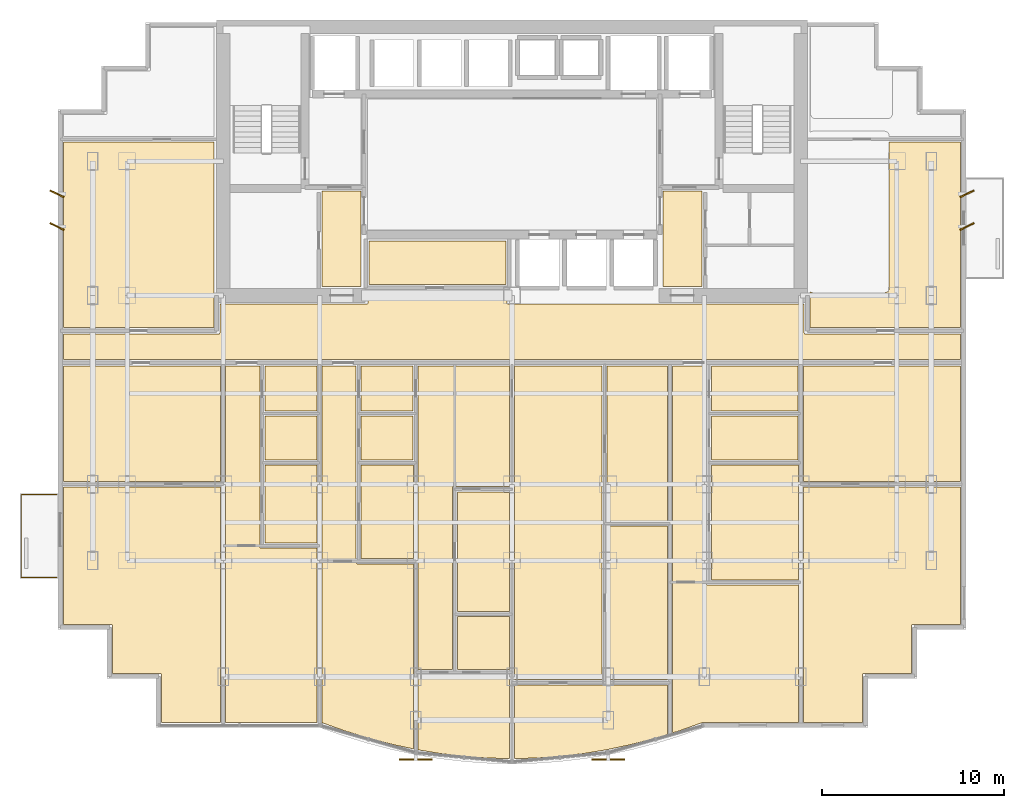
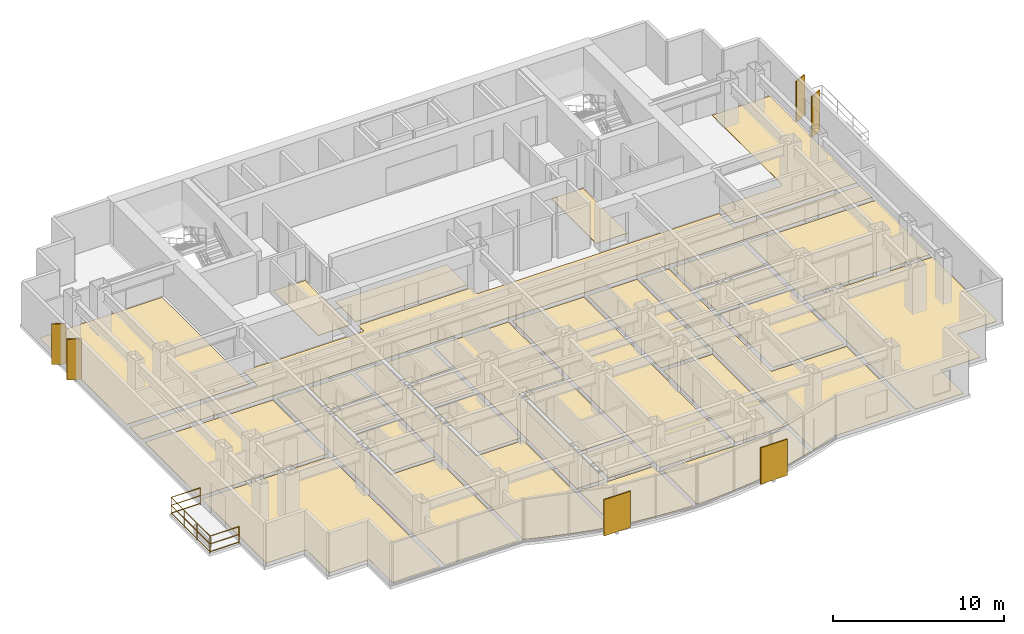
# One storey, part 9 of 10: 30 coverings, 6 shading devices, 1 railing.
"""IFC4 building model written with IfcOpenShell, lengths in metres."""

import ifcopenshell
import ifcopenshell.guid

model = None  # the IFC model being written
_history = None  # IfcOwnerHistory: only IFC2X3 demands one
_inside = {}  # id of a spatial element -> (the spatial element, [elements in it])
_under = {}  # id of a project, library or spatial element -> (it, [spatial elements below it])
_declared = {}  # id of a project -> (the project, [libraries it declares])
_typed = {}  # id of a type object -> (the type object, [elements of that type])
_made_of = {}  # id of a material, layer set ... -> (it, [elements and type objects made of it])


def new_model(schema):
    """Start an empty IFC model of exactly this schema.

    Asked for "IFC4X3", IfcOpenShell would pick the latest addendum, in which some entities
    have other attributes; the version numbers below select the first issue.
    IFC2X3 requires an IfcOwnerHistory on every rooted entity: one is made here for all.
    """
    global model, _history
    if schema == "IFC4X3":
        model = ifcopenshell.file(schema_version=(4, 3, 0, 0))
    else:
        model = ifcopenshell.file(schema=schema)
    _inside.clear()
    _under.clear()
    _declared.clear()
    _typed.clear()
    _made_of.clear()
    _history = None
    if model.schema == "IFC2X3":
        org = make("IfcOrganization", Name="unknown")
        user = make(
            "IfcPersonAndOrganization",
            ThePerson=make("IfcPerson", FamilyName="unknown"),
            TheOrganization=org,
        )
        app = make(
            "IfcApplication",
            ApplicationDeveloper=org,
            Version="unknown",
            ApplicationFullName="unknown",
            ApplicationIdentifier="unknown",
        )
        _history = make(
            "IfcOwnerHistory",
            OwningUser=user,
            OwningApplication=app,
            ChangeAction="ADDED",
            CreationDate=0,
        )
    return model


def make(cls, **values):
    """One entity of the class cls with the attributes given. An attribute that is None is left unset."""
    return model.create_entity(
        cls, **{name: value for name, value in values.items() if value is not None}
    )


def rooted(cls, **values):
    """An entity with a GlobalId (a new one), such as an element, a storey or a relation."""
    return make(cls, GlobalId=ifcopenshell.guid.new(), OwnerHistory=_history, **values)


def si_unit(unit_type, name, prefix=None):
    """IfcSIUnit, for example si_unit("LENGTHUNIT", "METRE", prefix="MILLI")."""
    return make("IfcSIUnit", UnitType=unit_type, Prefix=prefix, Name=name)


def assignment(units):
    """IfcUnitAssignment: the units of a project."""
    return None if units is None else make("IfcUnitAssignment", Units=units)


def point(xyz):
    """IfcCartesianPoint."""
    return None if xyz is None else make("IfcCartesianPoint", Coordinates=xyz)


def direction(xyz):
    """IfcDirection."""
    return None if xyz is None else make("IfcDirection", DirectionRatios=xyz)


def frame(location, z_axis=None, x_axis=None):
    """IfcAxis2Placement3D, a coordinate frame: its origin and axes. An axis left out is left unset."""
    return make(
        "IfcAxis2Placement3D",
        Location=point(location),
        Axis=direction(z_axis),
        RefDirection=direction(x_axis),
    )


def frame_2d(location, x_axis=None):
    """IfcAxis2Placement2D, a coordinate frame in the plane: its origin and x axis."""
    return make(
        "IfcAxis2Placement2D", Location=point(location), RefDirection=direction(x_axis)
    )


def origin():
    """The frame at (0, 0, 0) with its axes left unset."""
    return frame((0.0, 0.0, 0.0))


def origin_2d():
    """The frame at (0, 0) in the plane with its x axis left unset."""
    return frame_2d((0.0, 0.0))


def place(relative_to, where):
    """IfcLocalPlacement: puts the frame where relative to a parent placement (None: the world)."""
    return make(
        "IfcLocalPlacement", PlacementRelTo=relative_to, RelativePlacement=where
    )


def context(
    kind, dimensions, precision=None, world=None, true_north=None, identifier=None
):
    """IfcGeometricRepresentationContext, for example the 3D "Model" context."""
    return make(
        "IfcGeometricRepresentationContext",
        ContextIdentifier=identifier,
        ContextType=kind,
        CoordinateSpaceDimension=dimensions,
        Precision=precision,
        WorldCoordinateSystem=world,
        TrueNorth=true_north,
    )


def subcontext(parent, identifier, kind, view, scale=None):
    """IfcGeometricRepresentationSubContext, for example "Body" below "Model"."""
    return make(
        "IfcGeometricRepresentationSubContext",
        ContextIdentifier=identifier,
        ContextType=kind,
        ParentContext=parent,
        TargetScale=scale,
        TargetView=view,
    )


def project(units=None, contexts=None):
    """IfcProject with its units and contexts."""
    return rooted(
        "IfcProject",
        Name="project",
        RepresentationContexts=contexts,
        UnitsInContext=assignment(units),
    )


def spatial(cls, under=None, at=None, **own):
    """A site, building, storey or space (cls), placed at a placement, below another one or the project."""
    s = rooted(cls, ObjectPlacement=at, **own)
    if under is not None:
        _under.setdefault(under.id(), (under, []))[1].append(s)
    return s


def polyline(points):
    """IfcPolyline through the points."""
    return make("IfcPolyline", Points=[point(p) for p in points])


def profile(cls, at=None, kind="AREA", **sizes):
    """A parametric profile (cls). Its sizes go by their IFC names, for example OverallWidth=200.0."""
    return make(cls, ProfileType=kind, Position=at, **sizes)


def rectangle(**sizes):
    """IfcRectangleProfileDef."""
    return profile("IfcRectangleProfileDef", **sizes)


def circle(**sizes):
    """IfcCircleProfileDef."""
    return profile("IfcCircleProfileDef", **sizes)


def outline(outer, holes=None, kind="AREA"):
    """IfcArbitraryClosedProfileDef: a profile drawn as a closed curve; with holes, ...WithVoids."""
    if holes is None:
        return make("IfcArbitraryClosedProfileDef", ProfileType=kind, OuterCurve=outer)
    return make(
        "IfcArbitraryProfileDefWithVoids",
        ProfileType=kind,
        OuterCurve=outer,
        InnerCurves=holes,
    )


def extrude(swept, where, along, depth):
    """IfcExtrudedAreaSolid: the profile swept, set in the frame where, extruded along a direction by depth."""
    return make(
        "IfcExtrudedAreaSolid",
        SweptArea=swept,
        Position=where,
        ExtrudedDirection=direction(along),
        Depth=depth,
    )


def shape(context_of_items, identifier, shape_type, items):
    """IfcShapeRepresentation: the items that make up one representation, for example the "Body"."""
    return make(
        "IfcShapeRepresentation",
        ContextOfItems=context_of_items,
        RepresentationIdentifier=identifier,
        RepresentationType=shape_type,
        Items=items,
    )


def source(mapping_origin, context_of_items, identifier, shape_type, items):
    """IfcRepresentationMap: a shape defined once, which mapped items show again and again."""
    return make(
        "IfcRepresentationMap",
        MappingOrigin=mapping_origin,
        MappedRepresentation=shape(context_of_items, identifier, shape_type, items),
    )


def transform(
    local_origin,
    x_axis=None,
    y_axis=None,
    z_axis=None,
    scale=None,
    scale2=None,
    scale3=None,
    uniform=True,
):
    """IfcCartesianTransformationOperator3D, or its non-uniform kind. x_axis, y_axis, z_axis: its Axis1, 2, 3."""
    if uniform:
        return make(
            "IfcCartesianTransformationOperator3D",
            Axis1=direction(x_axis),
            Axis2=direction(y_axis),
            LocalOrigin=point(local_origin),
            Scale=scale,
            Axis3=direction(z_axis),
        )
    return make(
        "IfcCartesianTransformationOperator3DnonUniform",
        Axis1=direction(x_axis),
        Axis2=direction(y_axis),
        LocalOrigin=point(local_origin),
        Scale=scale,
        Axis3=direction(z_axis),
        Scale2=scale2,
        Scale3=scale3,
    )


def mapped(mapping_source, mapping_target):
    """IfcMappedItem: shows the shape of a source again, moved by a transform."""
    return make(
        "IfcMappedItem", MappingSource=mapping_source, MappingTarget=mapping_target
    )


def material(Name=None, Category=None):
    """IfcMaterial."""
    return make("IfcMaterial", Name=Name, Category=Category)


def layer(
    of_material, thickness, ventilated=None, Name=None, Category=None, Priority=None
):
    """IfcMaterialLayer: one layer of a wall or slab, of a material (None: an air gap)."""
    return make(
        "IfcMaterialLayer",
        Material=of_material,
        LayerThickness=thickness,
        IsVentilated=ventilated,
        Name=Name,
        Category=Category,
        Priority=Priority,
    )


def layer_set(layers, Name=None):
    """IfcMaterialLayerSet."""
    return make("IfcMaterialLayerSet", MaterialLayers=layers, LayerSetName=Name)


def made_of(thing, what):
    """Note that an element or type object is made of a material, layer set ...; save() writes the relation."""
    if what is not None:
        _made_of.setdefault(what.id(), (what, []))[1].append(thing)
    return thing


def type_object(cls, material=None, **own):
    """A type object (cls), such as IfcWallType, which elements share."""
    return made_of(rooted(cls, **own), material)


def element(
    cls,
    number,
    at=None,
    inside=None,
    cuts=None,
    type_object=None,
    material=None,
    context=None,
    identifier="Body",
    shape_type=None,
    held_by="IfcProductDefinitionShape",
    body=None,
    shapes=None,
    **own,
):
    """One element of the class cls, such as IfcWall. Its Tag is "e" and its number.

    at: its placement. inside: the storey or other place that contains it. cuts: it is an
    opening in that element (IfcRelVoidsElement). A single representation is given by context,
    identifier, shape_type and body (its items); several are given by shapes. held_by: the class
    of the entity that holds the representations. save() writes the other relations.
    """
    e = rooted(cls, Tag="e%d" % number, ObjectPlacement=at, **own)
    if body is not None:
        shapes = [shape(context, identifier, shape_type, body)]
    if shapes is not None:
        e.Representation = make(held_by, Representations=shapes)
    if inside is not None:
        _inside.setdefault(inside.id(), (inside, []))[1].append(e)
    if cuts is not None:
        rooted(
            "IfcRelVoidsElement", RelatingBuildingElement=cuts, RelatedOpeningElement=e
        )
    if type_object is not None:
        _typed.setdefault(type_object.id(), (type_object, []))[1].append(e)
    return made_of(e, material)


def aggregate(whole, parts):
    """IfcRelAggregates: a whole, such as a stair, and the parts it consists of."""
    return rooted("IfcRelAggregates", RelatingObject=whole, RelatedObjects=parts)


def save(model, path):
    """Write the relations noted so far, then the file.

    IfcRelAggregates (storeys below a building ...), IfcRelContainedInSpatialStructure (elements
    in a storey), IfcRelDefinesByType, IfcRelAssociatesMaterial and IfcRelDeclares: one each for
    every whole, place, type object, material and project.
    """
    for whole, parts in _under.values():
        aggregate(whole, parts)
    for where, things in _inside.values():
        rooted(
            "IfcRelContainedInSpatialStructure",
            RelatedElements=things,
            RelatingStructure=where,
        )
    for kind, things in _typed.values():
        rooted("IfcRelDefinesByType", RelatedObjects=things, RelatingType=kind)
    for what, things in _made_of.values():
        rooted("IfcRelAssociatesMaterial", RelatedObjects=things, RelatingMaterial=what)
    for by, libraries in _declared.values():
        rooted("IfcRelDeclares", RelatingContext=by, RelatedDefinitions=libraries)
    model.write(path)


model = new_model("IFC4")

# Units and contexts
model_context = context("Model", 3, precision=1e-05, world=origin(), true_north=direction((0.0, 1.0)))
body_context = subcontext(model_context, "Body", "Model", "MODEL_VIEW")
ifc_project = project(units=[si_unit("LENGTHUNIT", "METRE"), si_unit("AREAUNIT", "SQUARE_METRE"), si_unit("VOLUMEUNIT", "CUBIC_METRE"), si_unit("PLANEANGLEUNIT", "RADIAN"), si_unit("MASSUNIT", "GRAM", prefix="KILO")], contexts=[model_context])

# Site, building, storey
site_placement = place(None, origin())
site = spatial("IfcSite", under=ifc_project, at=site_placement, CompositionType="ELEMENT")
building_placement = place(site_placement, origin())
building = spatial("IfcBuilding", under=site, at=building_placement, Name="Qianlan Lanfeng Residences", CompositionType="ELEMENT")
storey_placement = place(building_placement, frame((0.0, 0.0, 118.0)))
storey = spatial("IfcBuildingStorey", under=building, at=storey_placement, Name="L32", CompositionType="ELEMENT", Elevation=118.0)

# Coverings
ifc_material_1 = material(Name="Honed Taitung Granite Stone Flooring", Category="masonry")
ifc_layer_1 = layer(ifc_material_1, 0.030029296875)
ifc_layer_set_1 = layer_set([ifc_layer_1], Name="Honed Taitung Granite Stone Flooring")
covering_type_1 = type_object("IfcCoveringType", Name="FLR-STN-30", PredefinedType="FLOORING", material=ifc_layer_set_1)
covering_1_placement = place(storey_placement, origin())
element("IfcCovering", 1, at=covering_1_placement, inside=storey, type_object=covering_type_1, Name="L32 Residential Corridor Floor Finish", PredefinedType="FLOORING", context=body_context, shape_type="SweptSolid", body=[
    extrude(outline(polyline([(1.7900390625, 21.679931640625), (51.2099609375, 21.679931640625), (51.2099609375, 23.070068359375), (42.6650390625, 23.070068359375), (42.657958984375, 23.070068359375), (42.65087890625, 23.071044921875), (42.64501953125, 23.072998046875), (42.637939453125, 23.074951171875), (42.632080078125, 23.077880859375), (42.6259765625, 23.08203125), (42.62109375, 23.0859375), (42.615966796875, 23.091064453125), (42.611083984375, 23.095947265625), (42.60693359375, 23.10107421875), (42.60302734375, 23.10693359375), (42.60009765625, 23.113037109375), (42.597900390625, 23.1201171875), (42.595947265625, 23.1259765625), (42.594970703125, 23.133056640625), (42.594970703125, 23.139892578125), (42.594970703125, 24.72509765625), (26.300048828125, 24.72509765625), (26.29296875, 24.72509765625), (26.285888671875, 24.72607421875), (26.280029296875, 24.72802734375), (26.27294921875, 24.72998046875), (26.26708984375, 24.73291015625), (26.260986328125, 24.737060546875), (26.256103515625, 24.740966796875), (26.2509765625, 24.74609375), (26.24609375, 24.7509765625), (26.241943359375, 24.756103515625), (26.238037109375, 24.761962890625), (26.235107421875, 24.76806640625), (26.23291015625, 24.77490234375), (26.23095703125, 24.781005859375), (26.22998046875, 24.7880859375), (26.22998046875, 24.794921875), (26.22998046875, 25.429931640625), (18.570068359375, 25.429931640625), (18.570068359375, 24.794921875), (18.570068359375, 24.7880859375), (18.569091796875, 24.781005859375), (18.56689453125, 24.77490234375), (18.56494140625, 24.76806640625), (18.56201171875, 24.761962890625), (18.55810546875, 24.756103515625), (18.553955078125, 24.7509765625), (18.549072265625, 24.74609375), (18.5439453125, 24.740966796875), (18.5390625, 24.737060546875), (18.532958984375, 24.73291015625), (18.527099609375, 24.72998046875), (18.52001953125, 24.72802734375), (18.513916015625, 24.72607421875), (18.507080078125, 24.72509765625), (18.5, 24.72509765625), (10.405029296875, 24.72509765625), (10.405029296875, 23.139892578125), (10.405029296875, 23.133056640625), (10.404052734375, 23.1259765625), (10.402099609375, 23.1201171875), (10.39990234375, 23.113037109375), (10.39697265625, 23.10693359375), (10.39306640625, 23.10107421875), (10.388916015625, 23.095947265625), (10.384033203125, 23.091064453125), (10.37890625, 23.0859375), (10.3740234375, 23.08203125), (10.367919921875, 23.077880859375), (10.362060546875, 23.074951171875), (10.35498046875, 23.072998046875), (10.34912109375, 23.071044921875), (10.342041015625, 23.070068359375), (10.3349609375, 23.070068359375), (1.7900390625, 23.070068359375), (1.7900390625, 21.679931640625)])), origin(), (0.0, 0.0, 1.0), 0.030029296875),
])
covering_2_placement = place(storey_placement, origin())
element("IfcCovering", 2, at=covering_2_placement, inside=storey, type_object=covering_type_1, Name="L32 Lift Lobby Floor Finish", PredefinedType="FLOORING", context=body_context, shape_type="SweptSolid", body=[
    extrude(outline(polyline([(16.030029296875, 25.68505859375), (18.169921875, 25.68505859375), (18.169921875, 30.949951171875), (16.030029296875, 30.949951171875), (16.030029296875, 25.68505859375)])), origin(), (0.0, 0.0, 1.0), 0.030029296875),
])
covering_3_placement = place(storey_placement, origin())
element("IfcCovering", 3, at=covering_3_placement, inside=storey, type_object=covering_type_1, Name="L32 Lift Lobby Floor Finish", PredefinedType="FLOORING", context=body_context, shape_type="SweptSolid", body=[
    extrude(outline(polyline([(34.830078125, 25.68505859375), (36.969970703125, 25.68505859375), (36.969970703125, 30.949951171875), (34.830078125, 30.949951171875), (34.830078125, 25.68505859375)])), origin(), (0.0, 0.0, 1.0), 0.030029296875),
])
ifc_material_2 = material(Name="Slip-Resistant Porcelain Tile Flooring")
ifc_layer_2 = layer(ifc_material_2, 0.02001953125)
ifc_layer_set_2 = layer_set([ifc_layer_2], Name="Slip-Resistant Porcelain Tile Flooring")
covering_type_2 = type_object("IfcCoveringType", Name="FLR-TIL-20", PredefinedType="FLOORING", material=ifc_layer_set_2)
covering_4_placement = place(storey_placement, origin())
element("IfcCovering", 4, at=covering_4_placement, inside=storey, type_object=covering_type_2, Name="L32 Kitchen Floor Finish", PredefinedType="FLOORING", context=body_context, shape_type="SweptSolid", body=[
    extrude(outline(polyline([(12.889892578125, 16.139892578125), (15.760009765625, 16.139892578125), (15.760009765625, 18.56005859375), (12.889892578125, 18.56005859375), (12.889892578125, 16.139892578125)])), origin(), (0.0, 0.0, 1.0), 0.02001953125),
])
covering_5_placement = place(storey_placement, origin())
element("IfcCovering", 5, at=covering_5_placement, inside=storey, type_object=covering_type_2, Name="L32 Bathroom Floor Finish", PredefinedType="FLOORING", context=body_context, shape_type="SweptSolid", body=[
    extrude(outline(polyline([(12.889892578125, 18.840087890625), (15.760009765625, 18.840087890625), (15.760009765625, 21.330078125), (12.889892578125, 21.330078125), (12.889892578125, 18.840087890625)])), origin(), (0.0, 0.0, 1.0), 0.02001953125),
])
covering_6_placement = place(storey_placement, origin())
element("IfcCovering", 6, at=covering_6_placement, inside=storey, type_object=covering_type_2, Name="L32 Kitchen Floor Finish", PredefinedType="FLOORING", context=body_context, shape_type="SweptSolid", body=[
    extrude(outline(polyline([(18.18994140625, 16.139892578125), (21.06005859375, 16.139892578125), (21.06005859375, 18.56005859375), (18.18994140625, 18.56005859375), (18.18994140625, 16.139892578125)])), origin(), (0.0, 0.0, 1.0), 0.02001953125),
])
covering_7_placement = place(storey_placement, origin())
element("IfcCovering", 7, at=covering_7_placement, inside=storey, type_object=covering_type_2, Name="L32 Bathroom Floor Finish", PredefinedType="FLOORING", context=body_context, shape_type="SweptSolid", body=[
    extrude(outline(polyline([(18.18994140625, 18.840087890625), (21.06005859375, 18.840087890625), (21.06005859375, 21.330078125), (18.18994140625, 21.330078125), (18.18994140625, 18.840087890625)])), origin(), (0.0, 0.0, 1.0), 0.02001953125),
])
covering_8_placement = place(storey_placement, origin())
element("IfcCovering", 8, at=covering_8_placement, inside=storey, type_object=covering_type_2, Name="L32 En-Suite Bathroom Floor Finish", PredefinedType="FLOORING", context=body_context, shape_type="SweptSolid", body=[
    extrude(outline(polyline([(23.489990234375, 4.5869140625), (26.3701171875, 4.5869140625), (26.3701171875, 7.507080078125), (23.489990234375, 7.507080078125), (23.489990234375, 4.5869140625)])), origin(), (0.0, 0.0, 1.0), 0.02001953125),
])
covering_9_placement = place(storey_placement, origin())
element("IfcCovering", 9, at=covering_9_placement, inside=storey, type_object=covering_type_2, Name="L32 Kitchen Floor Finish", PredefinedType="FLOORING", context=body_context, shape_type="SweptSolid", body=[
    extrude(outline(polyline([(37.489990234375, 16.139892578125), (42.260009765625, 16.139892578125), (42.260009765625, 18.56005859375), (37.489990234375, 18.56005859375), (37.489990234375, 16.139892578125)])), origin(), (0.0, 0.0, 1.0), 0.02001953125),
])
covering_10_placement = place(storey_placement, origin())
element("IfcCovering", 10, at=covering_10_placement, inside=storey, type_object=covering_type_2, Name="L32 Bathroom Floor Finish", PredefinedType="FLOORING", context=body_context, shape_type="SweptSolid", body=[
    extrude(outline(polyline([(37.489990234375, 18.840087890625), (42.260009765625, 18.840087890625), (42.260009765625, 21.330078125), (37.489990234375, 21.330078125), (37.489990234375, 18.840087890625)])), origin(), (0.0, 0.0, 1.0), 0.02001953125),
])
ifc_material_3 = material(Name="Engineered Smoked Oak Timber Flooring", Category="wood")
ifc_layer_3 = layer(ifc_material_3, 0.02197265625)
ifc_layer_set_3 = layer_set([ifc_layer_3], Name="Engineered Smoked Oak Timber Flooring")
covering_type_3 = type_object("IfcCoveringType", Name="FLR-TIM-22", PredefinedType="FLOORING", material=ifc_layer_set_3)
covering_11_placement = place(storey_placement, origin())
element("IfcCovering", 11, at=covering_11_placement, inside=storey, type_object=covering_type_3, Name="L32 Resident Reading Lounge Floor Finish", PredefinedType="FLOORING", context=body_context, shape_type="SweptSolid", body=[
    extrude(outline(polyline([(18.6298828125, 25.800048828125), (26.169921875, 25.800048828125), (26.169921875, 28.205078125), (18.6298828125, 28.205078125), (18.6298828125, 25.800048828125)])), origin(), (0.0, 0.0, 1.0), 0.02197265625),
])
covering_12_placement = place(storey_placement, origin())
element("IfcCovering", 12, at=covering_12_placement, inside=storey, type_object=covering_type_3, Name="L32 Studio Living Room Floor Finish", PredefinedType="FLOORING", context=body_context, shape_type="SweptSolid", body=[
    extrude(outline(polyline([(15.77001953125, 1.68994140625), (15.77001953125, 11.280029296875), (12.679931640625, 11.280029296875), (12.673095703125, 11.280029296875), (12.666015625, 11.281005859375), (12.659912109375, 11.282958984375), (12.653076171875, 11.284912109375), (12.64697265625, 11.2880859375), (12.64111328125, 11.2919921875), (12.635986328125, 11.2958984375), (12.631103515625, 11.301025390625), (12.6259765625, 11.305908203125), (12.6220703125, 11.31103515625), (12.617919921875, 11.31689453125), (12.614990234375, 11.322998046875), (12.613037109375, 11.330078125), (12.611083984375, 11.3359375), (12.610107421875, 11.343017578125), (12.610107421875, 11.35009765625), (12.610107421875, 21.330078125), (10.72998046875, 21.330078125), (10.72998046875, 1.68994140625), (15.77001953125, 1.68994140625)])), origin(), (0.0, 0.0, 1.0), 0.02197265625),
])
covering_13_placement = place(storey_placement, origin())
element("IfcCovering", 13, at=covering_13_placement, inside=storey, type_object=covering_type_3, Name="L32 Villa Family Sitting Room Floor Finish", PredefinedType="FLOORING", context=body_context, shape_type="SweptSolid", body=[
    extrude(outline(polyline([(12.889892578125, 15.860107421875), (12.889892578125, 11.56005859375), (15.77001953125, 11.56005859375), (15.77001953125, 15.860107421875), (12.889892578125, 15.860107421875)])), origin(), (0.0, 0.0, 1.0), 0.02197265625),
])
covering_14_placement = place(storey_placement, origin())
element("IfcCovering", 14, at=covering_14_placement, inside=storey, type_object=covering_type_3, Name="L32 Living and Dining Room Floor Finish", PredefinedType="FLOORING", context=body_context, shape_type="SweptSolid", body=[
    extrude(outline(polyline([(21.070068359375, 0.22607421875), (21.070068359375, 10.419921875), (17.97998046875, 10.419921875), (17.972900390625, 10.419921875), (17.966064453125, 10.4208984375), (17.9599609375, 10.423095703125), (17.952880859375, 10.425048828125), (17.947021484375, 10.427978515625), (17.94091796875, 10.431884765625), (17.93603515625, 10.43603515625), (17.930908203125, 10.44091796875), (17.926025390625, 10.446044921875), (17.922119140625, 10.450927734375), (17.91796875, 10.45703125), (17.9150390625, 10.462890625), (17.9130859375, 10.469970703125), (17.910888671875, 10.47607421875), (17.909912109375, 10.48291015625), (17.909912109375, 10.489990234375), (17.909912109375, 21.330078125), (16.030029296875, 21.330078125), (16.030029296875, 1.6689453125), (17.3330078125, 1.2060546875), (18.64404296875, 0.803955078125), (19.9541015625, 0.462890625), (21.070068359375, 0.22607421875)])), origin(), (0.0, 0.0, 1.0), 0.02197265625),
])
covering_15_placement = place(storey_placement, origin())
element("IfcCovering", 15, at=covering_15_placement, inside=storey, type_object=covering_type_3, Name="L32 Villa Family Sitting Room Floor Finish", PredefinedType="FLOORING", context=body_context, shape_type="SweptSolid", body=[
    extrude(outline(polyline([(18.18994140625, 15.860107421875), (18.18994140625, 10.699951171875), (21.070068359375, 10.699951171875), (21.070068359375, 15.860107421875), (18.18994140625, 15.860107421875)])), origin(), (0.0, 0.0, 1.0), 0.02197265625),
])
covering_16_placement = place(storey_placement, origin())
element("IfcCovering", 16, at=covering_16_placement, inside=storey, type_object=covering_type_3, Name="L32 Private Study Floor Finish", PredefinedType="FLOORING", context=body_context, shape_type="SweptSolid", body=[
    extrude(outline(polyline([(23.489990234375, 7.787109375), (26.3701171875, 7.787109375), (26.3701171875, 14.383056640625), (23.489990234375, 14.383056640625), (23.489990234375, 7.787109375)])), origin(), (0.0, 0.0, 1.0), 0.02197265625),
])
covering_17_placement = place(storey_placement, origin())
element("IfcCovering", 17, at=covering_17_placement, inside=storey, type_object=covering_type_3, Name="L32 Villa Family Sitting Room Floor Finish", PredefinedType="FLOORING", context=body_context, shape_type="SweptSolid", body=[
    extrude(outline(polyline([(21.330078125, 4.5869140625), (23.2099609375, 4.5869140625), (23.2099609375, 14.593017578125), (23.2099609375, 14.60009765625), (23.2109375, 14.60693359375), (23.212890625, 14.613037109375), (23.215087890625, 14.6201171875), (23.218017578125, 14.6259765625), (23.221923828125, 14.632080078125), (23.22607421875, 14.636962890625), (23.23095703125, 14.64208984375), (23.236083984375, 14.64697265625), (23.240966796875, 14.65087890625), (23.2470703125, 14.655029296875), (23.2529296875, 14.657958984375), (23.260009765625, 14.659912109375), (23.26611328125, 14.662109375), (23.27294921875, 14.6630859375), (23.280029296875, 14.6630859375), (26.3701171875, 14.6630859375), (26.3701171875, 21.330078125), (21.330078125, 21.330078125), (21.330078125, 4.5869140625)])), origin(), (0.0, 0.0, 1.0), 0.02197265625),
])
covering_18_placement = place(storey_placement, origin())
element("IfcCovering", 18, at=covering_18_placement, inside=storey, type_object=covering_type_3, Name="L32 Master Bedroom Floor Finish", PredefinedType="FLOORING", context=body_context, shape_type="SweptSolid", body=[
    extrude(outline(polyline([(21.330078125, 4.306884765625), (21.330078125, 0.174072265625), (22.572998046875, -0.031982421875), (23.882080078125, -0.18603515625), (25.19091796875, -0.279052734375), (26.3701171875, -0.306884765625), (26.3701171875, 4.306884765625), (21.330078125, 4.306884765625)])), origin(), (0.0, 0.0, 1.0), 0.02197265625),
])
covering_19_placement = place(storey_placement, origin())
element("IfcCovering", 19, at=covering_19_placement, inside=storey, type_object=covering_type_3, Name="L32 Bedroom Floor Finish", PredefinedType="FLOORING", context=body_context, shape_type="SweptSolid", body=[
    extrude(outline(polyline([(26.6298828125, 3.735107421875), (26.6298828125, -0.306884765625), (27.80810546875, -0.279052734375), (29.117919921875, -0.18603515625), (30.426025390625, -0.031982421875), (31.736083984375, 0.18505859375), (33.044921875, 0.462890625), (34.35595703125, 0.803955078125), (35.070068359375, 1.02294921875), (35.070068359375, 3.735107421875), (26.6298828125, 3.735107421875)])), origin(), (0.0, 0.0, 1.0), 0.02197265625),
])
covering_20_placement = place(storey_placement, origin())
element("IfcCovering", 20, at=covering_20_placement, inside=storey, type_object=covering_type_3, Name="L32 Private Study Floor Finish", PredefinedType="FLOORING", context=body_context, shape_type="SweptSolid", body=[
    extrude(outline(polyline([(31.739990234375, 4.014892578125), (35.070068359375, 4.014892578125), (35.070068359375, 12.4970703125), (31.739990234375, 12.4970703125), (31.739990234375, 4.014892578125)])), origin(), (0.0, 0.0, 1.0), 0.02197265625),
])
covering_21_placement = place(storey_placement, origin())
element("IfcCovering", 21, at=covering_21_placement, inside=storey, type_object=covering_type_3, Name="L32 Aerobics Studio Floor Finish", PredefinedType="FLOORING", context=body_context, shape_type="SweptSolid", body=[
    extrude(outline(polyline([(31.739990234375, 12.777099609375), (35.070068359375, 12.777099609375), (35.070068359375, 21.330078125), (31.739990234375, 21.330078125), (31.739990234375, 12.777099609375)])), origin(), (0.0, 0.0, 1.0), 0.02197265625),
])
covering_22_placement = place(storey_placement, origin())
element("IfcCovering", 22, at=covering_22_placement, inside=storey, type_object=covering_type_3, Name="L32 Home Office Floor Finish", PredefinedType="FLOORING", context=body_context, shape_type="SweptSolid", body=[
    extrude(outline(polyline([(26.6298828125, 4.014892578125), (31.4599609375, 4.014892578125), (31.4599609375, 21.330078125), (26.6298828125, 21.330078125), (26.6298828125, 4.014892578125)])), origin(), (0.0, 0.0, 1.0), 0.02197265625),
])
covering_23_placement = place(storey_placement, origin())
element("IfcCovering", 23, at=covering_23_placement, inside=storey, type_object=covering_type_3, Name="L32 Studio Living Room Floor Finish", PredefinedType="FLOORING", context=body_context, shape_type="SweptSolid", body=[
    extrude(outline(polyline([(42.27001953125, 1.68994140625), (42.27001953125, 9.258056640625), (37.280029296875, 9.258056640625), (37.27294921875, 9.258056640625), (37.26611328125, 9.259033203125), (37.260009765625, 9.260986328125), (37.2529296875, 9.262939453125), (37.2470703125, 9.26611328125), (37.240966796875, 9.27001953125), (37.236083984375, 9.27392578125), (37.23095703125, 9.279052734375), (37.22607421875, 9.283935546875), (37.221923828125, 9.2890625), (37.218017578125, 9.294921875), (37.215087890625, 9.301025390625), (37.212890625, 9.30810546875), (37.2109375, 9.31396484375), (37.2099609375, 9.321044921875), (37.2099609375, 9.327880859375), (37.2099609375, 21.330078125), (35.330078125, 21.330078125), (35.330078125, 1.10302734375), (35.6669921875, 1.2060546875), (37.01904296875, 1.68603515625), (37.02587890625, 1.68798828125), (37.033935546875, 1.68994140625), (37.0419921875, 1.68994140625), (42.27001953125, 1.68994140625)])), origin(), (0.0, 0.0, 1.0), 0.02197265625),
])
covering_24_placement = place(storey_placement, origin())
element("IfcCovering", 24, at=covering_24_placement, inside=storey, type_object=covering_type_3, Name="L32 Villa Family Sitting Room Floor Finish", PredefinedType="FLOORING", context=body_context, shape_type="SweptSolid", body=[
    extrude(outline(polyline([(37.489990234375, 15.860107421875), (37.489990234375, 9.5380859375), (42.27001953125, 9.5380859375), (42.27001953125, 15.860107421875), (37.489990234375, 15.860107421875)])), origin(), (0.0, 0.0, 1.0), 0.02197265625),
])
covering_25_placement = place(storey_placement, origin())
element("IfcCovering", 25, at=covering_25_placement, inside=storey, type_object=covering_type_3, Name="L32 Sunroom Floor Finish", PredefinedType="FLOORING", context=body_context, shape_type="SweptSolid", body=[
    extrude(outline(polyline([(10.43994140625, 14.64990234375), (1.7900390625, 14.64990234375), (1.7900390625, 7.090087890625), (4.419921875, 7.090087890625), (4.427001953125, 7.090087890625), (4.43408203125, 7.089111328125), (4.43994140625, 7.0869140625), (4.447021484375, 7.0849609375), (4.452880859375, 7.08203125), (4.458984375, 7.077880859375), (4.464111328125, 7.073974609375), (4.468994140625, 7.069091796875), (4.47412109375, 7.06396484375), (4.47802734375, 7.05908203125), (4.48193359375, 7.052978515625), (4.485107421875, 7.047119140625), (4.487060546875, 7.0400390625), (4.489013671875, 7.033935546875), (4.489990234375, 7.027099609375), (4.489990234375, 7.02001953125), (4.489990234375, 4.389892578125), (7.1201171875, 4.389892578125), (7.126953125, 4.389892578125), (7.134033203125, 4.388916015625), (7.139892578125, 4.386962890625), (7.14697265625, 4.385009765625), (7.153076171875, 4.382080078125), (7.158935546875, 4.3779296875), (7.1640625, 4.3740234375), (7.1689453125, 4.368896484375), (7.174072265625, 4.364013671875), (7.177978515625, 4.35888671875), (7.181884765625, 4.35302734375), (7.18505859375, 4.346923828125), (7.18701171875, 4.340087890625), (7.18896484375, 4.333984375), (7.18994140625, 4.326904296875), (7.18994140625, 4.320068359375), (7.18994140625, 1.68994140625), (10.43994140625, 1.68994140625), (10.43994140625, 14.64990234375)])), origin(), (0.0, 0.0, 1.0), 0.02197265625),
])
covering_26_placement = place(storey_placement, origin())
element("IfcCovering", 26, at=covering_26_placement, inside=storey, type_object=covering_type_3, Name="L32 Family Sitting Room Floor Finish", PredefinedType="FLOORING", context=body_context, shape_type="SweptSolid", body=[
    extrude(outline(polyline([(10.43994140625, 21.330078125), (1.7900390625, 21.330078125), (1.7900390625, 14.949951171875), (10.43994140625, 14.949951171875), (10.43994140625, 21.330078125)])), origin(), (0.0, 0.0, 1.0), 0.02197265625),
])
covering_27_placement = place(storey_placement, origin())
element("IfcCovering", 27, at=covering_27_placement, inside=storey, type_object=covering_type_3, Name="L32 Sunroom Floor Finish", PredefinedType="FLOORING", context=body_context, shape_type="SweptSolid", body=[
    extrude(outline(polyline([(51.2099609375, 14.64990234375), (42.56005859375, 14.64990234375), (42.56005859375, 1.68994140625), (45.81005859375, 1.68994140625), (45.81005859375, 4.320068359375), (45.81005859375, 4.326904296875), (45.81103515625, 4.333984375), (45.81298828125, 4.340087890625), (45.81494140625, 4.346923828125), (45.818115234375, 4.35302734375), (45.822021484375, 4.35888671875), (45.825927734375, 4.364013671875), (45.8310546875, 4.368896484375), (45.8359375, 4.3740234375), (45.841064453125, 4.3779296875), (45.846923828125, 4.382080078125), (45.85302734375, 4.385009765625), (45.860107421875, 4.386962890625), (45.865966796875, 4.388916015625), (45.873046875, 4.389892578125), (45.8798828125, 4.389892578125), (48.510009765625, 4.389892578125), (48.510009765625, 7.02001953125), (48.510009765625, 7.027099609375), (48.510986328125, 7.033935546875), (48.512939453125, 7.0400390625), (48.514892578125, 7.047119140625), (48.51806640625, 7.052978515625), (48.52197265625, 7.05908203125), (48.52587890625, 7.06396484375), (48.531005859375, 7.069091796875), (48.535888671875, 7.073974609375), (48.541015625, 7.077880859375), (48.547119140625, 7.08203125), (48.552978515625, 7.0849609375), (48.56005859375, 7.0869140625), (48.56591796875, 7.089111328125), (48.572998046875, 7.090087890625), (48.580078125, 7.090087890625), (51.2099609375, 7.090087890625), (51.2099609375, 14.64990234375)])), origin(), (0.0, 0.0, 1.0), 0.02197265625),
])
covering_28_placement = place(storey_placement, origin())
element("IfcCovering", 28, at=covering_28_placement, inside=storey, type_object=covering_type_3, Name="L32 Private Study Floor Finish", PredefinedType="FLOORING", context=body_context, shape_type="SweptSolid", body=[
    extrude(outline(polyline([(51.2099609375, 21.330078125), (42.56005859375, 21.330078125), (42.56005859375, 14.949951171875), (51.2099609375, 14.949951171875), (51.2099609375, 21.330078125)])), origin(), (0.0, 0.0, 1.0), 0.02197265625),
])
covering_29_placement = place(storey_placement, origin())
element("IfcCovering", 29, at=covering_29_placement, inside=storey, type_object=covering_type_3, Name="L32 Aerobics Studio Floor Finish", PredefinedType="FLOORING", context=body_context, shape_type="SweptSolid", body=[
    extrude(outline(polyline([(10.074951171875, 33.64990234375), (1.7900390625, 33.64990234375), (1.7900390625, 23.429931640625), (10.074951171875, 23.429931640625), (10.074951171875, 33.64990234375)])), origin(), (0.0, 0.0, 1.0), 0.02197265625),
])
covering_30_placement = place(storey_placement, origin())
element("IfcCovering", 30, at=covering_30_placement, inside=storey, type_object=covering_type_3, Name="L32 Aerobics Studio Floor Finish", PredefinedType="FLOORING", context=body_context, shape_type="SweptSolid", body=[
    extrude(outline(polyline([(51.2099609375, 33.64990234375), (47.27001953125, 33.64990234375), (47.27001953125, 25.60009765625), (47.26904296875, 25.574951171875), (47.264892578125, 25.551025390625), (47.259033203125, 25.527099609375), (47.2509765625, 25.50390625), (47.239990234375, 25.48193359375), (47.22802734375, 25.4609375), (47.212890625, 25.44091796875), (47.197021484375, 25.423095703125), (47.178955078125, 25.406982421875), (47.158935546875, 25.39208984375), (47.137939453125, 25.3798828125), (47.115966796875, 25.368896484375), (47.093017578125, 25.361083984375), (47.069091796875, 25.35498046875), (47.044921875, 25.35107421875), (47.02001953125, 25.35009765625), (43.080078125, 25.35009765625), (43.054931640625, 25.35107421875), (43.031005859375, 25.35498046875), (43.007080078125, 25.361083984375), (42.98388671875, 25.368896484375), (42.9619140625, 25.3798828125), (42.94091796875, 25.39208984375), (42.925048828125, 25.404052734375), (42.925048828125, 23.429931640625), (51.2099609375, 23.429931640625), (51.2099609375, 33.64990234375)])), origin(), (0.0, 0.0, 1.0), 0.02197265625),
])

# Railing
ifc_material_4 = material(Name="Anodised Bronze Aluminium and Laminated Glass Guard Balustrade", Category="aluminium")
railing_type = type_object("IfcRailingType", Name="GR-EXT-1220", PredefinedType="BALUSTRADE", material=ifc_material_4)
railing_placement = place(storey_placement, frame((1.429931640625, 9.669921875, 0.0)))
element("IfcRailing", 31, at=railing_placement, inside=storey, type_object=railing_type, Name="L32 Terrace Safety Guard GR-L32-WB-S", PredefinedType="BALUSTRADE", context=body_context, shape_type="SweptSolid", body=[
    extrude(circle(Radius=0.02490234375, at=origin_2d()), frame((0.0, 0.0, 0.0849609375), z_axis=(-1.0, 0.0, 0.0), x_axis=(0.0, -1.0, 0.0)), (0.0, 0.0, 1.0), 1.9599609375),
    extrude(circle(Radius=0.02490234375, at=origin_2d()), frame((0.0, 0.0, 0.63427734375), z_axis=(-1.0, 0.0, 0.0), x_axis=(0.0, -1.0, 0.0)), (0.0, 0.0, 1.0), 1.9599609375),
    extrude(circle(Radius=0.02490234375, at=origin_2d()), frame((0.0, 0.0, 1.19482421875), z_axis=(-1.0, 0.0, 0.0), x_axis=(0.0, -1.0, 0.0)), (0.0, 0.0, 1.0), 1.9599609375),
    extrude(circle(Radius=0.02490234375, at=origin_2d()), frame((-1.9599609375, 0.0, 0.0849609375), z_axis=(0.0, 1.0, 0.0), x_axis=(-1.0, 0.0, 0.0)), (0.0, 0.0, 1.0), 4.56005859375),
    extrude(circle(Radius=0.02490234375, at=origin_2d()), frame((-1.9599609375, 0.0, 0.63427734375), z_axis=(0.0, 1.0, 0.0), x_axis=(-1.0, 0.0, 0.0)), (0.0, 0.0, 1.0), 4.56005859375),
    extrude(circle(Radius=0.02490234375, at=origin_2d()), frame((-1.9599609375, 0.0, 1.19482421875), z_axis=(0.0, 1.0, 0.0), x_axis=(-1.0, 0.0, 0.0)), (0.0, 0.0, 1.0), 4.56005859375),
    extrude(circle(Radius=0.02490234375, at=origin_2d()), frame((-1.9599609375, 4.56005859375, 0.0849609375), z_axis=(1.0, 0.0, 0.0), x_axis=(0.0, 1.0, 0.0)), (0.0, 0.0, 1.0), 1.9599609375),
    extrude(circle(Radius=0.02490234375, at=origin_2d()), frame((-1.9599609375, 4.56005859375, 0.63427734375), z_axis=(1.0, 0.0, 0.0), x_axis=(0.0, 1.0, 0.0)), (0.0, 0.0, 1.0), 1.9599609375),
    extrude(circle(Radius=0.02490234375, at=origin_2d()), frame((-1.9599609375, 4.56005859375, 1.19482421875), z_axis=(1.0, 0.0, 0.0), x_axis=(0.0, 1.0, 0.0)), (0.0, 0.0, 1.0), 1.9599609375),
    extrude(circle(Radius=0.02099609375, at=origin_2d()), origin(), (0.0, 0.0, 1.0), 1.169921875),
    extrude(circle(Radius=0.02099609375, at=origin_2d()), frame((-1.9599609375, 0.0, 0.0)), (0.0, 0.0, 1.0), 1.169921875),
    extrude(circle(Radius=0.02099609375, at=origin_2d()), frame((-1.9599609375, 1.52001953125, 0.0)), (0.0, 0.0, 1.0), 1.169921875),
    extrude(circle(Radius=0.02099609375, at=origin_2d()), frame((-1.9599609375, 3.0400390625, 0.0)), (0.0, 0.0, 1.0), 1.169921875),
    extrude(circle(Radius=0.02099609375, at=origin_2d()), frame((-1.9599609375, 4.56005859375, 0.0)), (0.0, 0.0, 1.0), 1.169921875),
    extrude(circle(Radius=0.02099609375, at=origin_2d()), frame((0.0, 4.56005859375, 0.0)), (0.0, 0.0, 1.0), 1.169921875),
])

# Shading devices
ifc_material_5 = material(Name="Perforated Bronze Aluminium Solar Screen", Category="aluminium")
shading_device_type_1 = type_object("IfcShadingDeviceType", Name="SCR-BRZ-1800", PredefinedType="JALOUSIE", material=ifc_material_5)
shared_shape_1 = source(origin(), body_context, "Body", "SweptSolid", [
    extrude(rectangle(XDim=1.800048828125, YDim=0.06005859375, at=origin_2d()), origin(), (0.0, 0.0, 1.0), 2.60009765625),
])
for number, where, z_axis, x_axis, name in (
    (32, (21.199951171875, -0.360107421875, 0.0), (0.0, 0.0, 1.0), (1.0, 0.0, 0.0), "L32 Perforated Bronze Solar Screen 1"),
    (33, (31.800048828125, -0.360107421875, 0.0), (0.0, 0.0, 1.0), (1.0, 0.0, 0.0), "L32 Perforated Bronze Solar Screen 2"),
):
    element("IfcShadingDevice", number, at=place(storey_placement, frame(where, z_axis=z_axis, x_axis=x_axis)), inside=storey, type_object=shading_device_type_1, Name=name, PredefinedType="JALOUSIE", context=body_context, shape_type="MappedRepresentation", body=[
        mapped(shared_shape_1, transform((0.0, 0.0, 0.0), scale=1.0)),
    ])
ifc_material_6 = material(Name="Anodised Bronze Aluminium Solar Fin", Category="aluminium")
shading_device_type_2 = type_object("IfcShadingDeviceType", Name="FIN-BRZ-850", PredefinedType="SHUTTER", material=ifc_material_6)
shared_shape_2 = source(origin(), body_context, "Body", "SweptSolid", [
    extrude(rectangle(XDim=0.85009765625, YDim=0.080078125, at=origin_2d()), origin(), (0.0, 0.0, 1.0), 2.89990234375),
])
for number, where, z_axis, x_axis, name in (
    (34, (1.429931640625, 29.0, 0.0), (0.0, 0.0, 1.0), (0.898794046299, -0.438371146789, 0.0), "L32 Raked Bronze Solar Fin W1"),
    (35, (1.429931640625, 30.800048828125, 0.0), (0.0, 0.0, 1.0), (0.898794046299, -0.438371146789, 0.0), "L32 Raked Bronze Solar Fin W2"),
    (36, (51.570068359375, 29.0, 0.0), (0.0, 0.0, 1.0), (0.898794046299, 0.438371146789, 0.0), "L32 Raked Bronze Solar Fin E1"),
    (37, (51.570068359375, 30.800048828125, 0.0), (0.0, 0.0, 1.0), (0.898794046299, 0.438371146789, 0.0), "L32 Raked Bronze Solar Fin E2"),
):
    element("IfcShadingDevice", number, at=place(storey_placement, frame(where, z_axis=z_axis, x_axis=x_axis)), inside=storey, type_object=shading_device_type_2, Name=name, PredefinedType="SHUTTER", context=body_context, shape_type="MappedRepresentation", body=[
        mapped(shared_shape_2, transform((0.0, 0.0, 0.0), scale=1.0)),
    ])

save(model, "model.ifc")
